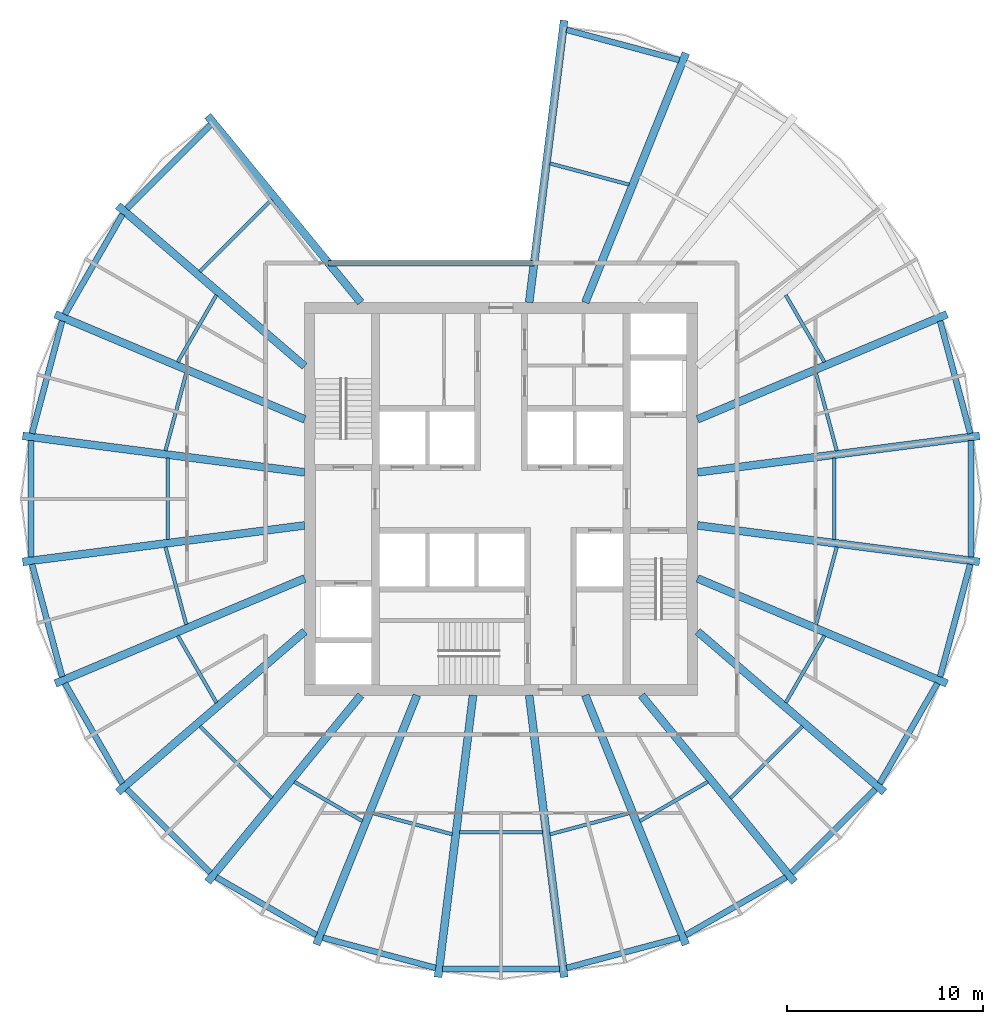
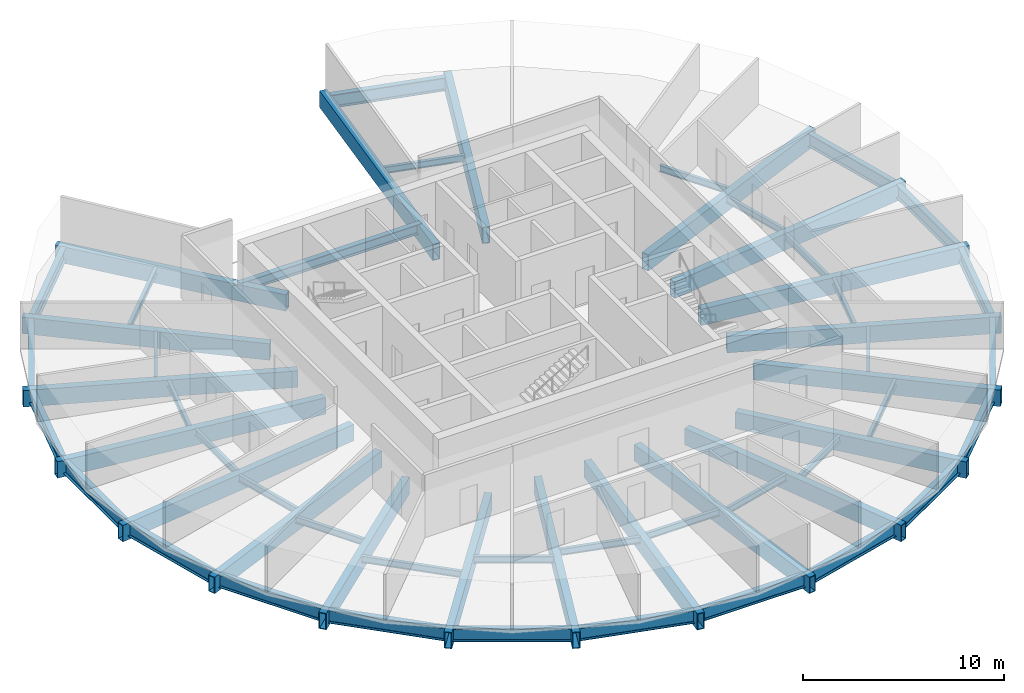
# One storey, part 1 of 6: 58 beams.
"""IFC4 building model written with IfcOpenShell, lengths in metres."""

import ifcopenshell
import ifcopenshell.guid

model = None  # the IFC model being written
_history = None  # IfcOwnerHistory: only IFC2X3 demands one
_inside = {}  # id of a spatial element -> (the spatial element, [elements in it])
_under = {}  # id of a project, library or spatial element -> (it, [spatial elements below it])
_declared = {}  # id of a project -> (the project, [libraries it declares])
_typed = {}  # id of a type object -> (the type object, [elements of that type])
_made_of = {}  # id of a material, layer set ... -> (it, [elements and type objects made of it])


def new_model(schema):
    """Start an empty IFC model of exactly this schema.

    Asked for "IFC4X3", IfcOpenShell would pick the latest addendum, in which some entities
    have other attributes; the version numbers below select the first issue.
    IFC2X3 requires an IfcOwnerHistory on every rooted entity: one is made here for all.
    """
    global model, _history
    if schema == "IFC4X3":
        model = ifcopenshell.file(schema_version=(4, 3, 0, 0))
    else:
        model = ifcopenshell.file(schema=schema)
    _inside.clear()
    _under.clear()
    _declared.clear()
    _typed.clear()
    _made_of.clear()
    _history = None
    if model.schema == "IFC2X3":
        org = make("IfcOrganization", Name="unknown")
        user = make(
            "IfcPersonAndOrganization",
            ThePerson=make("IfcPerson", FamilyName="unknown"),
            TheOrganization=org,
        )
        app = make(
            "IfcApplication",
            ApplicationDeveloper=org,
            Version="unknown",
            ApplicationFullName="unknown",
            ApplicationIdentifier="unknown",
        )
        _history = make(
            "IfcOwnerHistory",
            OwningUser=user,
            OwningApplication=app,
            ChangeAction="ADDED",
            CreationDate=0,
        )
    return model


def make(cls, **values):
    """One entity of the class cls with the attributes given. An attribute that is None is left unset."""
    return model.create_entity(
        cls, **{name: value for name, value in values.items() if value is not None}
    )


def rooted(cls, **values):
    """An entity with a GlobalId (a new one), such as an element, a storey or a relation."""
    return make(cls, GlobalId=ifcopenshell.guid.new(), OwnerHistory=_history, **values)


def si_unit(unit_type, name, prefix=None):
    """IfcSIUnit, for example si_unit("LENGTHUNIT", "METRE", prefix="MILLI")."""
    return make("IfcSIUnit", UnitType=unit_type, Prefix=prefix, Name=name)


def assignment(units):
    """IfcUnitAssignment: the units of a project."""
    return None if units is None else make("IfcUnitAssignment", Units=units)


def point(xyz):
    """IfcCartesianPoint."""
    return None if xyz is None else make("IfcCartesianPoint", Coordinates=xyz)


def direction(xyz):
    """IfcDirection."""
    return None if xyz is None else make("IfcDirection", DirectionRatios=xyz)


def frame(location, z_axis=None, x_axis=None):
    """IfcAxis2Placement3D, a coordinate frame: its origin and axes. An axis left out is left unset."""
    return make(
        "IfcAxis2Placement3D",
        Location=point(location),
        Axis=direction(z_axis),
        RefDirection=direction(x_axis),
    )


def frame_2d(location, x_axis=None):
    """IfcAxis2Placement2D, a coordinate frame in the plane: its origin and x axis."""
    return make(
        "IfcAxis2Placement2D", Location=point(location), RefDirection=direction(x_axis)
    )


def origin():
    """The frame at (0, 0, 0) with its axes left unset."""
    return frame((0.0, 0.0, 0.0))


def origin_2d():
    """The frame at (0, 0) in the plane with its x axis left unset."""
    return frame_2d((0.0, 0.0))


def place(relative_to, where):
    """IfcLocalPlacement: puts the frame where relative to a parent placement (None: the world)."""
    return make(
        "IfcLocalPlacement", PlacementRelTo=relative_to, RelativePlacement=where
    )


def context(
    kind, dimensions, precision=None, world=None, true_north=None, identifier=None
):
    """IfcGeometricRepresentationContext, for example the 3D "Model" context."""
    return make(
        "IfcGeometricRepresentationContext",
        ContextIdentifier=identifier,
        ContextType=kind,
        CoordinateSpaceDimension=dimensions,
        Precision=precision,
        WorldCoordinateSystem=world,
        TrueNorth=true_north,
    )


def subcontext(parent, identifier, kind, view, scale=None):
    """IfcGeometricRepresentationSubContext, for example "Body" below "Model"."""
    return make(
        "IfcGeometricRepresentationSubContext",
        ContextIdentifier=identifier,
        ContextType=kind,
        ParentContext=parent,
        TargetScale=scale,
        TargetView=view,
    )


def project(units=None, contexts=None):
    """IfcProject with its units and contexts."""
    return rooted(
        "IfcProject",
        Name="project",
        RepresentationContexts=contexts,
        UnitsInContext=assignment(units),
    )


def spatial(cls, under=None, at=None, **own):
    """A site, building, storey or space (cls), placed at a placement, below another one or the project."""
    s = rooted(cls, ObjectPlacement=at, **own)
    if under is not None:
        _under.setdefault(under.id(), (under, []))[1].append(s)
    return s


def profile(cls, at=None, kind="AREA", **sizes):
    """A parametric profile (cls). Its sizes go by their IFC names, for example OverallWidth=200.0."""
    return make(cls, ProfileType=kind, Position=at, **sizes)


def hollow_rectangle(**sizes):
    """IfcRectangleHollowProfileDef."""
    return profile("IfcRectangleHollowProfileDef", **sizes)


def i_section(**sizes):
    """IfcIShapeProfileDef."""
    return profile("IfcIShapeProfileDef", **sizes)


def extrude(swept, where, along, depth):
    """IfcExtrudedAreaSolid: the profile swept, set in the frame where, extruded along a direction by depth."""
    return make(
        "IfcExtrudedAreaSolid",
        SweptArea=swept,
        Position=where,
        ExtrudedDirection=direction(along),
        Depth=depth,
    )


def shape(context_of_items, identifier, shape_type, items):
    """IfcShapeRepresentation: the items that make up one representation, for example the "Body"."""
    return make(
        "IfcShapeRepresentation",
        ContextOfItems=context_of_items,
        RepresentationIdentifier=identifier,
        RepresentationType=shape_type,
        Items=items,
    )


def material(Name=None, Category=None):
    """IfcMaterial."""
    return make("IfcMaterial", Name=Name, Category=Category)


def material_profile(
    of_material, cross_section, Name=None, Category=None, Priority=None
):
    """IfcMaterialProfile: a cross section and its material."""
    return make(
        "IfcMaterialProfile",
        Name=Name,
        Material=of_material,
        Profile=cross_section,
        Priority=Priority,
        Category=Category,
    )


def profile_set(profiles, Name=None, composite=None):
    """IfcMaterialProfileSet."""
    return make(
        "IfcMaterialProfileSet",
        Name=Name,
        MaterialProfiles=profiles,
        CompositeProfile=composite,
    )


def made_of(thing, what):
    """Note that an element or type object is made of a material, layer set ...; save() writes the relation."""
    if what is not None:
        _made_of.setdefault(what.id(), (what, []))[1].append(thing)
    return thing


def type_object(cls, material=None, **own):
    """A type object (cls), such as IfcWallType, which elements share."""
    return made_of(rooted(cls, **own), material)


def element(
    cls,
    number,
    at=None,
    inside=None,
    cuts=None,
    type_object=None,
    material=None,
    context=None,
    identifier="Body",
    shape_type=None,
    held_by="IfcProductDefinitionShape",
    body=None,
    shapes=None,
    **own,
):
    """One element of the class cls, such as IfcWall. Its Tag is "e" and its number.

    at: its placement. inside: the storey or other place that contains it. cuts: it is an
    opening in that element (IfcRelVoidsElement). A single representation is given by context,
    identifier, shape_type and body (its items); several are given by shapes. held_by: the class
    of the entity that holds the representations. save() writes the other relations.
    """
    e = rooted(cls, Tag="e%d" % number, ObjectPlacement=at, **own)
    if body is not None:
        shapes = [shape(context, identifier, shape_type, body)]
    if shapes is not None:
        e.Representation = make(held_by, Representations=shapes)
    if inside is not None:
        _inside.setdefault(inside.id(), (inside, []))[1].append(e)
    if cuts is not None:
        rooted(
            "IfcRelVoidsElement", RelatingBuildingElement=cuts, RelatedOpeningElement=e
        )
    if type_object is not None:
        _typed.setdefault(type_object.id(), (type_object, []))[1].append(e)
    return made_of(e, material)


def aggregate(whole, parts):
    """IfcRelAggregates: a whole, such as a stair, and the parts it consists of."""
    return rooted("IfcRelAggregates", RelatingObject=whole, RelatedObjects=parts)


def save(model, path):
    """Write the relations noted so far, then the file.

    IfcRelAggregates (storeys below a building ...), IfcRelContainedInSpatialStructure (elements
    in a storey), IfcRelDefinesByType, IfcRelAssociatesMaterial and IfcRelDeclares: one each for
    every whole, place, type object, material and project.
    """
    for whole, parts in _under.values():
        aggregate(whole, parts)
    for where, things in _inside.values():
        rooted(
            "IfcRelContainedInSpatialStructure",
            RelatedElements=things,
            RelatingStructure=where,
        )
    for kind, things in _typed.values():
        rooted("IfcRelDefinesByType", RelatedObjects=things, RelatingType=kind)
    for what, things in _made_of.values():
        rooted("IfcRelAssociatesMaterial", RelatedObjects=things, RelatingMaterial=what)
    for by, libraries in _declared.values():
        rooted("IfcRelDeclares", RelatingContext=by, RelatedDefinitions=libraries)
    model.write(path)


model = new_model("IFC4")

# Units and contexts
model_context = context("Model", 3, precision=1e-05, world=origin(), true_north=direction((0.0, 1.0)))
body_context = subcontext(model_context, "Body", "Model", "MODEL_VIEW")
ifc_project = project(units=[si_unit("LENGTHUNIT", "METRE"), si_unit("AREAUNIT", "SQUARE_METRE"), si_unit("VOLUMEUNIT", "CUBIC_METRE"), si_unit("PLANEANGLEUNIT", "RADIAN"), si_unit("MASSUNIT", "GRAM", prefix="KILO")], contexts=[model_context])

# Site, building, storey
site_placement = place(None, origin())
site = spatial("IfcSite", under=ifc_project, at=site_placement, CompositionType="ELEMENT")
building_placement = place(site_placement, origin())
building = spatial("IfcBuilding", under=site, at=building_placement, Name="Golbaran Civic Tower", CompositionType="ELEMENT")
storey_placement = place(building_placement, frame((0.0, 0.0, 110.0)))
storey = spatial("IfcBuildingStorey", under=building, at=storey_placement, Name="L26", CompositionType="ELEMENT", Elevation=110.0)

# Beams
ifc_material = material(Name="Steel S355", Category="steel")
ifc_material_profile_1 = material_profile(ifc_material, i_section(OverallWidth=0.300048828125, OverallDepth=0.800048828125, WebThickness=0.017578125, FlangeThickness=0.032958984375, FilletRadius=0.030029296875, at=origin_2d()), Name="HEB 800")
ifc_profile_set_1 = profile_set([ifc_material_profile_1], Name="Steel S355")
beam_type_1 = type_object("IfcBeamType", Name="EDGE BEAM HEB 800", PredefinedType="BEAM", material=ifc_profile_set_1)
beam_1_placement = place(storey_placement, frame((23.884033203125, 3.32763671875, -0.60009765625), z_axis=(-0.2587539174, 0.965943274851, 0.0), x_axis=(-0.965943274851, -0.2587539174, 0.0)))
element("IfcBeam", 1, at=beam_1_placement, inside=storey, type_object=beam_type_1, Name="Edge beam 7.50 L26", PredefinedType="BEAM", context=body_context, shape_type="SweptSolid", body=[
    extrude(i_section(OverallWidth=0.300048828125, OverallDepth=0.800048828125, WebThickness=0.017578125, FlangeThickness=0.032958984375, FilletRadius=0.030029296875, at=origin_2d()), origin(), (0.0, 0.0, 1.0), 5.930908203125),
])
beam_2_placement = place(storey_placement, frame((9.071533203125, 22.343505859375, -0.60009765625), z_axis=(-0.965834810192, 0.259158483211, 0.0), x_axis=(-0.259158483211, -0.965834810192, 0.0)))
element("IfcBeam", 2, at=beam_2_placement, inside=storey, type_object=beam_type_1, Name="Edge beam 67.50 L26", PredefinedType="BEAM", context=body_context, shape_type="SweptSolid", body=[
    extrude(i_section(OverallWidth=0.300048828125, OverallDepth=0.800048828125, WebThickness=0.017578125, FlangeThickness=0.032958984375, FilletRadius=0.030029296875, at=origin_2d()), origin(), (0.0, 0.0, 1.0), 5.94140625),
])
beam_3_placement = place(storey_placement, frame((-14.794677734375, 19.042724609375, -0.60009765625), z_axis=(-0.706742408007, -0.707470966701, 0.0), x_axis=(0.707470966701, -0.706742408007, 0.0)))
element("IfcBeam", 3, at=beam_3_placement, inside=storey, type_object=beam_type_1, Name="Edge beam 127.50 L26", PredefinedType="BEAM", context=body_context, shape_type="SweptSolid", body=[
    extrude(i_section(OverallWidth=0.300048828125, OverallDepth=0.800048828125, WebThickness=0.017578125, FlangeThickness=0.032958984375, FilletRadius=0.030029296875, at=origin_2d()), origin(), (0.0, 0.0, 1.0), 6.03173828125),
])
beam_4_placement = place(storey_placement, frame((-19.276611328125, 14.489013671875, -0.60009765625), z_axis=(-0.498857735231, -0.866683887009, 0.0), x_axis=(0.866683887009, -0.498857735231, 0.0)))
element("IfcBeam", 4, at=beam_4_placement, inside=storey, type_object=beam_type_1, Name="Edge beam 142.50 L26", PredefinedType="BEAM", context=body_context, shape_type="SweptSolid", body=[
    extrude(i_section(OverallWidth=0.300048828125, OverallDepth=0.800048828125, WebThickness=0.017578125, FlangeThickness=0.032958984375, FilletRadius=0.030029296875, at=origin_2d()), origin(), (0.0, 0.0, 1.0), 5.884033203125),
])
beam_5_placement = place(storey_placement, frame((-22.349365234375, 9.056640625, -0.60009765625), z_axis=(-0.2587539174, -0.965943274851, 0.0), x_axis=(0.965943274851, -0.2587539174, 0.0)))
element("IfcBeam", 5, at=beam_5_placement, inside=storey, type_object=beam_type_1, Name="Edge beam 157.50 L26", PredefinedType="BEAM", context=body_context, shape_type="SweptSolid", body=[
    extrude(i_section(OverallWidth=0.300048828125, OverallDepth=0.800048828125, WebThickness=0.017578125, FlangeThickness=0.032958984375, FilletRadius=0.030029296875, at=origin_2d()), origin(), (0.0, 0.0, 1.0), 5.930908203125),
])
beam_6_placement = place(storey_placement, frame((-23.930908203125, 2.970703125, -0.60009765625), z_axis=(0.0, -1.0, 0.0), x_axis=(1.0, 0.0, 0.0)))
element("IfcBeam", 6, at=beam_6_placement, inside=storey, type_object=beam_type_1, Name="Edge beam 172.50 L26", PredefinedType="BEAM", context=body_context, shape_type="SweptSolid", body=[
    extrude(i_section(OverallWidth=0.300048828125, OverallDepth=0.800048828125, WebThickness=0.017578125, FlangeThickness=0.032958984375, FilletRadius=0.030029296875, at=origin_2d()), origin(), (0.0, 0.0, 1.0), 5.94140625),
])
beam_7_placement = place(storey_placement, frame((-23.884033203125, -3.32763671875, -0.60009765625), z_axis=(0.2587539174, -0.965943274851, 0.0), x_axis=(0.965943274851, 0.2587539174, 0.0)))
element("IfcBeam", 7, at=beam_7_placement, inside=storey, type_object=beam_type_1, Name="Edge beam 187.50 L26", PredefinedType="BEAM", context=body_context, shape_type="SweptSolid", body=[
    extrude(i_section(OverallWidth=0.300048828125, OverallDepth=0.800048828125, WebThickness=0.017578125, FlangeThickness=0.032958984375, FilletRadius=0.030029296875, at=origin_2d()), origin(), (0.0, 0.0, 1.0), 5.930908203125),
])
beam_8_placement = place(storey_placement, frame((-22.2119140625, -9.389404296875, -0.60009765625), z_axis=(0.498857735231, -0.866683887009, 0.0), x_axis=(0.866683887009, 0.498857735231, 0.0)))
element("IfcBeam", 8, at=beam_8_placement, inside=storey, type_object=beam_type_1, Name="Edge beam 202.50 L26", PredefinedType="BEAM", context=body_context, shape_type="SweptSolid", body=[
    extrude(i_section(OverallWidth=0.300048828125, OverallDepth=0.800048828125, WebThickness=0.017578125, FlangeThickness=0.032958984375, FilletRadius=0.030029296875, at=origin_2d()), origin(), (0.0, 0.0, 1.0), 5.884033203125),
])
beam_9_placement = place(storey_placement, frame((-19.0576171875, -14.775390625, -0.60009765625), z_axis=(0.706742408007, -0.707470966701, 0.0), x_axis=(0.707470966701, 0.706742408007, 0.0)))
element("IfcBeam", 9, at=beam_9_placement, inside=storey, type_object=beam_type_1, Name="Edge beam 217.50 L26", PredefinedType="BEAM", context=body_context, shape_type="SweptSolid", body=[
    extrude(i_section(OverallWidth=0.300048828125, OverallDepth=0.800048828125, WebThickness=0.017578125, FlangeThickness=0.032958984375, FilletRadius=0.030029296875, at=origin_2d()), origin(), (0.0, 0.0, 1.0), 6.03173828125),
])
beam_10_placement = place(storey_placement, frame((-14.5087890625, -19.26171875, -0.60009765625), z_axis=(0.866273170257, -0.499570610118, 0.0), x_axis=(0.499570610118, 0.866273170257, 0.0)))
element("IfcBeam", 10, at=beam_10_placement, inside=storey, type_object=beam_type_1, Name="Edge beam 232.50 L26", PredefinedType="BEAM", context=body_context, shape_type="SweptSolid", body=[
    extrude(i_section(OverallWidth=0.300048828125, OverallDepth=0.800048828125, WebThickness=0.017578125, FlangeThickness=0.032958984375, FilletRadius=0.030029296875, at=origin_2d()), origin(), (0.0, 0.0, 1.0), 5.892822265625),
])
beam_11_placement = place(storey_placement, frame((-9.071533203125, -22.343505859375, -0.60009765625), z_axis=(0.965834810192, -0.259158483211, 0.0), x_axis=(0.259158483211, 0.965834810192, 0.0)))
element("IfcBeam", 11, at=beam_11_placement, inside=storey, type_object=beam_type_1, Name="Edge beam 247.50 L26", PredefinedType="BEAM", context=body_context, shape_type="SweptSolid", body=[
    extrude(i_section(OverallWidth=0.300048828125, OverallDepth=0.800048828125, WebThickness=0.017578125, FlangeThickness=0.032958984375, FilletRadius=0.030029296875, at=origin_2d()), origin(), (0.0, 0.0, 1.0), 5.94140625),
])
beam_12_placement = place(storey_placement, frame((-2.97607421875, -23.930419921875, -0.60009765625), z_axis=(1.0, 0.0, 0.0), x_axis=(0.0, 1.0, 0.0)))
element("IfcBeam", 12, at=beam_12_placement, inside=storey, type_object=beam_type_1, Name="Edge beam 262.50 L26", PredefinedType="BEAM", context=body_context, shape_type="SweptSolid", body=[
    extrude(i_section(OverallWidth=0.300048828125, OverallDepth=0.800048828125, WebThickness=0.017578125, FlangeThickness=0.032958984375, FilletRadius=0.030029296875, at=origin_2d()), origin(), (0.0, 0.0, 1.0), 5.9521484375),
])
beam_13_placement = place(storey_placement, frame((3.3330078125, -23.88330078125, -0.60009765625), z_axis=(0.965834810192, 0.259158483211, 0.0), x_axis=(-0.259158483211, 0.965834810192, 0.0)))
element("IfcBeam", 13, at=beam_13_placement, inside=storey, type_object=beam_type_1, Name="Edge beam 277.50 L26", PredefinedType="BEAM", context=body_context, shape_type="SweptSolid", body=[
    extrude(i_section(OverallWidth=0.300048828125, OverallDepth=0.800048828125, WebThickness=0.017578125, FlangeThickness=0.032958984375, FilletRadius=0.030029296875, at=origin_2d()), origin(), (0.0, 0.0, 1.0), 5.94140625),
])
beam_14_placement = place(storey_placement, frame((9.404052734375, -22.20556640625, -0.60009765625), z_axis=(0.866273170257, 0.499570610118, 0.0), x_axis=(-0.499570610118, 0.866273170257, 0.0)))
element("IfcBeam", 14, at=beam_14_placement, inside=storey, type_object=beam_type_1, Name="Edge beam 292.50 L26", PredefinedType="BEAM", context=body_context, shape_type="SweptSolid", body=[
    extrude(i_section(OverallWidth=0.300048828125, OverallDepth=0.800048828125, WebThickness=0.017578125, FlangeThickness=0.032958984375, FilletRadius=0.030029296875, at=origin_2d()), origin(), (0.0, 0.0, 1.0), 5.892822265625),
])
beam_15_placement = place(storey_placement, frame((14.794677734375, -19.042724609375, -0.60009765625), z_axis=(0.706742408007, 0.707470966701, 0.0), x_axis=(-0.707470966701, 0.706742408007, 0.0)))
element("IfcBeam", 15, at=beam_15_placement, inside=storey, type_object=beam_type_1, Name="Edge beam 307.50 L26", PredefinedType="BEAM", context=body_context, shape_type="SweptSolid", body=[
    extrude(i_section(OverallWidth=0.300048828125, OverallDepth=0.800048828125, WebThickness=0.017578125, FlangeThickness=0.032958984375, FilletRadius=0.030029296875, at=origin_2d()), origin(), (0.0, 0.0, 1.0), 6.03173828125),
])
beam_16_placement = place(storey_placement, frame((19.276611328125, -14.489013671875, -0.60009765625), z_axis=(0.498857735231, 0.866683887009, 0.0), x_axis=(-0.866683887009, 0.498857735231, 0.0)))
element("IfcBeam", 16, at=beam_16_placement, inside=storey, type_object=beam_type_1, Name="Edge beam 322.50 L26", PredefinedType="BEAM", context=body_context, shape_type="SweptSolid", body=[
    extrude(i_section(OverallWidth=0.300048828125, OverallDepth=0.800048828125, WebThickness=0.017578125, FlangeThickness=0.032958984375, FilletRadius=0.030029296875, at=origin_2d()), origin(), (0.0, 0.0, 1.0), 5.884033203125),
])
beam_17_placement = place(storey_placement, frame((22.349365234375, -9.056640625, -0.60009765625), z_axis=(0.2587539174, 0.965943274851, 0.0), x_axis=(-0.965943274851, 0.2587539174, 0.0)))
element("IfcBeam", 17, at=beam_17_placement, inside=storey, type_object=beam_type_1, Name="Edge beam 337.50 L26", PredefinedType="BEAM", context=body_context, shape_type="SweptSolid", body=[
    extrude(i_section(OverallWidth=0.300048828125, OverallDepth=0.800048828125, WebThickness=0.017578125, FlangeThickness=0.032958984375, FilletRadius=0.030029296875, at=origin_2d()), origin(), (0.0, 0.0, 1.0), 5.930908203125),
])
beam_18_placement = place(storey_placement, frame((23.930908203125, -2.970703125, -0.60009765625), z_axis=(0.0, 1.0, 0.0), x_axis=(-1.0, 0.0, 0.0)))
element("IfcBeam", 18, at=beam_18_placement, inside=storey, type_object=beam_type_1, Name="Edge beam 352.50 L26", PredefinedType="BEAM", context=body_context, shape_type="SweptSolid", body=[
    extrude(i_section(OverallWidth=0.300048828125, OverallDepth=0.800048828125, WebThickness=0.017578125, FlangeThickness=0.032958984375, FilletRadius=0.030029296875, at=origin_2d()), origin(), (0.0, 0.0, 1.0), 5.94140625),
])
ifc_material_profile_2 = material_profile(ifc_material, i_section(OverallWidth=0.179931640625, OverallDepth=0.39990234375, WebThickness=0.008544921875, FlangeThickness=0.013427734375, FilletRadius=0.02099609375, at=origin_2d()), Name="IPE 400")
ifc_profile_set_2 = profile_set([ifc_material_profile_2], Name="Steel S355")
beam_type_2 = type_object("IfcBeamType", Name="FLOOR INFILL BEAM IPE 400", PredefinedType="BEAM", material=ifc_profile_set_2)
beam_19_placement = place(storey_placement, frame((17.0908203125, 2.44873046875, -0.39990234375), z_axis=(-0.25880775508, 0.965928851371, 0.0), x_axis=(-0.965928851371, -0.25880775508, 0.0)))
element("IfcBeam", 19, at=beam_19_placement, inside=storey, type_object=beam_type_2, Name="Infill beam 15.00 L26", PredefinedType="BEAM", context=body_context, shape_type="SweptSolid", body=[
    extrude(i_section(OverallWidth=0.179931640625, OverallDepth=0.39990234375, WebThickness=0.008544921875, FlangeThickness=0.013427734375, FilletRadius=0.02099609375, at=origin_2d()), origin(), (0.0, 0.0, 1.0), 4.08642578125),
])
beam_20_placement = place(storey_placement, frame((16.462646484375, 6.967529296875, -0.39990234375), z_axis=(-0.500014115306, 0.866017254155, 0.0), x_axis=(-0.866017254155, -0.500014115306, 0.0)))
element("IfcBeam", 20, at=beam_20_placement, inside=storey, type_object=beam_type_2, Name="Infill beam 30.00 L26", PredefinedType="BEAM", context=body_context, shape_type="SweptSolid", body=[
    extrude(i_section(OverallWidth=0.179931640625, OverallDepth=0.39990234375, WebThickness=0.008544921875, FlangeThickness=0.013427734375, FilletRadius=0.02099609375, at=origin_2d()), origin(), (0.0, 0.0, 1.0), 3.93701171875),
])
beam_21_placement = place(storey_placement, frame((6.512939453125, 16.00146484375, -0.39990234375), z_axis=(-0.965923987588, 0.258825907133, 0.0), x_axis=(-0.258825907133, -0.965923987588, 0.0)))
element("IfcBeam", 21, at=beam_21_placement, inside=storey, type_object=beam_type_2, Name="Infill beam 75.00 L26", PredefinedType="BEAM", context=body_context, shape_type="SweptSolid", body=[
    extrude(i_section(OverallWidth=0.179931640625, OverallDepth=0.39990234375, WebThickness=0.008544921875, FlangeThickness=0.013427734375, FilletRadius=0.02099609375, at=origin_2d()), origin(), (0.0, 0.0, 1.0), 4.16650390625),
])
beam_22_placement = place(storey_placement, frame((-11.676025390625, 15.241455078125, -0.39990234375), z_axis=(-0.707130343951, -0.707083217637, 0.0), x_axis=(0.707083217637, -0.707130343951, 0.0)))
element("IfcBeam", 22, at=beam_22_placement, inside=storey, type_object=beam_type_2, Name="Infill beam 135.00 L26", PredefinedType="BEAM", context=body_context, shape_type="SweptSolid", body=[
    extrude(i_section(OverallWidth=0.179931640625, OverallDepth=0.39990234375, WebThickness=0.008544921875, FlangeThickness=0.013427734375, FilletRadius=0.02099609375, at=origin_2d()), origin(), (0.0, 0.0, 1.0), 5.1806640625),
])
beam_23_placement = place(storey_placement, frame((-14.494140625, 10.376953125, -0.39990234375), z_axis=(-0.500014115306, -0.866017254155, 0.0), x_axis=(0.866017254155, -0.500014115306, 0.0)))
element("IfcBeam", 23, at=beam_23_placement, inside=storey, type_object=beam_type_2, Name="Infill beam 150.00 L26", PredefinedType="BEAM", context=body_context, shape_type="SweptSolid", body=[
    extrude(i_section(OverallWidth=0.179931640625, OverallDepth=0.39990234375, WebThickness=0.008544921875, FlangeThickness=0.013427734375, FilletRadius=0.02099609375, at=origin_2d()), origin(), (0.0, 0.0, 1.0), 3.93701171875),
])
beam_24_placement = place(storey_placement, frame((-16.033203125, 6.39599609375, -0.39990234375), z_axis=(-0.25880775508, -0.965928851371, 0.0), x_axis=(0.965928851371, -0.25880775508, 0.0)))
element("IfcBeam", 24, at=beam_24_placement, inside=storey, type_object=beam_type_2, Name="Infill beam 165.00 L26", PredefinedType="BEAM", context=body_context, shape_type="SweptSolid", body=[
    extrude(i_section(OverallWidth=0.179931640625, OverallDepth=0.39990234375, WebThickness=0.008544921875, FlangeThickness=0.013427734375, FilletRadius=0.02099609375, at=origin_2d()), origin(), (0.0, 0.0, 1.0), 4.08642578125),
])
beam_25_placement = place(storey_placement, frame((-16.965576171875, 2.069580078125, -0.39990234375), z_axis=(0.0, -1.0, 0.0), x_axis=(1.0, 0.0, 0.0)))
element("IfcBeam", 25, at=beam_25_placement, inside=storey, type_object=beam_type_2, Name="Infill beam 180.00 L26", PredefinedType="BEAM", context=body_context, shape_type="SweptSolid", body=[
    extrude(i_section(OverallWidth=0.179931640625, OverallDepth=0.39990234375, WebThickness=0.008544921875, FlangeThickness=0.013427734375, FilletRadius=0.02099609375, at=origin_2d()), origin(), (0.0, 0.0, 1.0), 4.13916015625),
])
beam_26_placement = place(storey_placement, frame((-17.0908203125, -2.44873046875, -0.39990234375), z_axis=(0.25880775508, -0.965928851371, 0.0), x_axis=(0.965928851371, 0.25880775508, 0.0)))
element("IfcBeam", 26, at=beam_26_placement, inside=storey, type_object=beam_type_2, Name="Infill beam 195.00 L26", PredefinedType="BEAM", context=body_context, shape_type="SweptSolid", body=[
    extrude(i_section(OverallWidth=0.179931640625, OverallDepth=0.39990234375, WebThickness=0.008544921875, FlangeThickness=0.013427734375, FilletRadius=0.02099609375, at=origin_2d()), origin(), (0.0, 0.0, 1.0), 4.08642578125),
])
beam_27_placement = place(storey_placement, frame((-16.462646484375, -6.967529296875, -0.39990234375), z_axis=(0.500014115306, -0.866017254155, 0.0), x_axis=(0.866017254155, 0.500014115306, 0.0)))
element("IfcBeam", 27, at=beam_27_placement, inside=storey, type_object=beam_type_2, Name="Infill beam 210.00 L26", PredefinedType="BEAM", context=body_context, shape_type="SweptSolid", body=[
    extrude(i_section(OverallWidth=0.179931640625, OverallDepth=0.39990234375, WebThickness=0.008544921875, FlangeThickness=0.013427734375, FilletRadius=0.02099609375, at=origin_2d()), origin(), (0.0, 0.0, 1.0), 3.93701171875),
])
beam_28_placement = place(storey_placement, frame((-15.33935546875, -11.578369140625, -0.39990234375), z_axis=(0.707130343951, -0.707083217637, 0.0), x_axis=(0.707083217637, 0.707130343951, 0.0)))
element("IfcBeam", 28, at=beam_28_placement, inside=storey, type_object=beam_type_2, Name="Infill beam 225.00 L26", PredefinedType="BEAM", context=body_context, shape_type="SweptSolid", body=[
    extrude(i_section(OverallWidth=0.179931640625, OverallDepth=0.39990234375, WebThickness=0.008544921875, FlangeThickness=0.013427734375, FilletRadius=0.02099609375, at=origin_2d()), origin(), (0.0, 0.0, 1.0), 5.1806640625),
])
beam_29_placement = place(storey_placement, frame((-10.5263671875, -14.40771484375, -0.39990234375), z_axis=(0.86602082383, -0.50000793263, 0.0), x_axis=(0.50000793263, 0.86602082383, 0.0)))
element("IfcBeam", 29, at=beam_29_placement, inside=storey, type_object=beam_type_2, Name="Infill beam 240.00 L26", PredefinedType="BEAM", context=body_context, shape_type="SweptSolid", body=[
    extrude(i_section(OverallWidth=0.179931640625, OverallDepth=0.39990234375, WebThickness=0.008544921875, FlangeThickness=0.013427734375, FilletRadius=0.02099609375, at=origin_2d()), origin(), (0.0, 0.0, 1.0), 3.99755859375),
])
beam_30_placement = place(storey_placement, frame((-6.512939453125, -16.00146484375, -0.39990234375), z_axis=(0.965923987588, -0.258825907133, 0.0), x_axis=(0.258825907133, 0.965923987588, 0.0)))
element("IfcBeam", 30, at=beam_30_placement, inside=storey, type_object=beam_type_2, Name="Infill beam 255.00 L26", PredefinedType="BEAM", context=body_context, shape_type="SweptSolid", body=[
    extrude(i_section(OverallWidth=0.179931640625, OverallDepth=0.39990234375, WebThickness=0.008544921875, FlangeThickness=0.013427734375, FilletRadius=0.02099609375, at=origin_2d()), origin(), (0.0, 0.0, 1.0), 4.16650390625),
])
beam_31_placement = place(storey_placement, frame((-2.111572265625, -16.965087890625, -0.39990234375), z_axis=(1.0, 0.0, 0.0), x_axis=(0.0, 1.0, 0.0)))
element("IfcBeam", 31, at=beam_31_placement, inside=storey, type_object=beam_type_2, Name="Infill beam 270.00 L26", PredefinedType="BEAM", context=body_context, shape_type="SweptSolid", body=[
    extrude(i_section(OverallWidth=0.179931640625, OverallDepth=0.39990234375, WebThickness=0.008544921875, FlangeThickness=0.013427734375, FilletRadius=0.02099609375, at=origin_2d()), origin(), (0.0, 0.0, 1.0), 4.22314453125),
])
beam_32_placement = place(storey_placement, frame((2.488525390625, -17.079833984375, -0.39990234375), z_axis=(0.965923987588, 0.258825907133, 0.0), x_axis=(-0.258825907133, 0.965923987588, 0.0)))
element("IfcBeam", 32, at=beam_32_placement, inside=storey, type_object=beam_type_2, Name="Infill beam 285.00 L26", PredefinedType="BEAM", context=body_context, shape_type="SweptSolid", body=[
    extrude(i_section(OverallWidth=0.179931640625, OverallDepth=0.39990234375, WebThickness=0.008544921875, FlangeThickness=0.013427734375, FilletRadius=0.02099609375, at=origin_2d()), origin(), (0.0, 0.0, 1.0), 4.16650390625),
])
beam_33_placement = place(storey_placement, frame((7.064453125, -16.406494140625, -0.39990234375), z_axis=(0.86602082383, 0.50000793263, 0.0), x_axis=(-0.50000793263, 0.86602082383, 0.0)))
element("IfcBeam", 33, at=beam_33_placement, inside=storey, type_object=beam_type_2, Name="Infill beam 300.00 L26", PredefinedType="BEAM", context=body_context, shape_type="SweptSolid", body=[
    extrude(i_section(OverallWidth=0.179931640625, OverallDepth=0.39990234375, WebThickness=0.008544921875, FlangeThickness=0.013427734375, FilletRadius=0.02099609375, at=origin_2d()), origin(), (0.0, 0.0, 1.0), 3.99755859375),
])
beam_34_placement = place(storey_placement, frame((11.676025390625, -15.241455078125, -0.39990234375), z_axis=(0.707130343951, 0.707083217637, 0.0), x_axis=(-0.707083217637, 0.707130343951, 0.0)))
element("IfcBeam", 34, at=beam_34_placement, inside=storey, type_object=beam_type_2, Name="Infill beam 315.00 L26", PredefinedType="BEAM", context=body_context, shape_type="SweptSolid", body=[
    extrude(i_section(OverallWidth=0.179931640625, OverallDepth=0.39990234375, WebThickness=0.008544921875, FlangeThickness=0.013427734375, FilletRadius=0.02099609375, at=origin_2d()), origin(), (0.0, 0.0, 1.0), 5.1806640625),
])
beam_35_placement = place(storey_placement, frame((14.494140625, -10.376953125, -0.39990234375), z_axis=(0.500014115306, 0.866017254155, 0.0), x_axis=(-0.866017254155, 0.500014115306, 0.0)))
element("IfcBeam", 35, at=beam_35_placement, inside=storey, type_object=beam_type_2, Name="Infill beam 330.00 L26", PredefinedType="BEAM", context=body_context, shape_type="SweptSolid", body=[
    extrude(i_section(OverallWidth=0.179931640625, OverallDepth=0.39990234375, WebThickness=0.008544921875, FlangeThickness=0.013427734375, FilletRadius=0.02099609375, at=origin_2d()), origin(), (0.0, 0.0, 1.0), 3.93701171875),
])
beam_36_placement = place(storey_placement, frame((16.033203125, -6.39599609375, -0.39990234375), z_axis=(0.25880775508, 0.965928851371, 0.0), x_axis=(-0.965928851371, 0.25880775508, 0.0)))
element("IfcBeam", 36, at=beam_36_placement, inside=storey, type_object=beam_type_2, Name="Infill beam 345.00 L26", PredefinedType="BEAM", context=body_context, shape_type="SweptSolid", body=[
    extrude(i_section(OverallWidth=0.179931640625, OverallDepth=0.39990234375, WebThickness=0.008544921875, FlangeThickness=0.013427734375, FilletRadius=0.02099609375, at=origin_2d()), origin(), (0.0, 0.0, 1.0), 4.08642578125),
])
beam_37_placement = place(storey_placement, frame((16.965576171875, -2.069580078125, -0.39990234375), z_axis=(0.0, 1.0, 0.0), x_axis=(-1.0, 0.0, 0.0)))
element("IfcBeam", 37, at=beam_37_placement, inside=storey, type_object=beam_type_2, Name="Infill beam 0.00 L26", PredefinedType="BEAM", context=body_context, shape_type="SweptSolid", body=[
    extrude(i_section(OverallWidth=0.179931640625, OverallDepth=0.39990234375, WebThickness=0.008544921875, FlangeThickness=0.013427734375, FilletRadius=0.02099609375, at=origin_2d()), origin(), (0.0, 0.0, 1.0), 4.13916015625),
])
ifc_material_profile_3 = material_profile(ifc_material, i_section(OverallWidth=0.300048828125, OverallDepth=0.60009765625, WebThickness=0.015380859375, FlangeThickness=0.030029296875, FilletRadius=0.027099609375, at=origin_2d()), Name="HEB 600")
ifc_profile_set_3 = profile_set([ifc_material_profile_3], Name="Steel S355")
beam_type_3 = type_object("IfcBeamType", Name="GARDEN CHORD TRIMMER HEB 600", PredefinedType="BEAM", material=ifc_profile_set_3)
beam_38_placement = place(storey_placement, frame((1.6767578125, 12.0, -0.5), z_axis=(-1.0, 0.0, 0.0), x_axis=(0.0, -1.0, 0.0)))
element("IfcBeam", 38, at=beam_38_placement, inside=storey, type_object=beam_type_3, Name="Garden void trimmer L26", PredefinedType="BEAM", context=body_context, shape_type="SweptSolid", body=[
    extrude(i_section(OverallWidth=0.300048828125, OverallDepth=0.60009765625, WebThickness=0.015380859375, FlangeThickness=0.030029296875, FilletRadius=0.027099609375, at=origin_2d()), origin(), (0.0, 0.0, 1.0), 10.46044921875),
])
ifc_material_profile_4 = material_profile(ifc_material, hollow_rectangle(XDim=0.39990234375, YDim=1.0, WallThickness=0.0400390625, at=origin_2d()), Name="BOX 1000x400x40")
ifc_profile_set_4 = profile_set([ifc_material_profile_4], Name="Steel S355")
beam_type_4 = type_object("IfcBeamType", Name="RADIAL FLOOR BEAM BOX 1000x400x40", PredefinedType="BEAM", material=ifc_profile_set_4)
beam_39_placement = place(storey_placement, frame((10.0, 1.35009765625, -0.7099609375), z_axis=(0.991737778704, 0.128281636608, 0.0), x_axis=(-0.128281636608, 0.991737778704, 0.0)))
element("IfcBeam", 39, at=beam_39_placement, inside=storey, type_object=beam_type_4, Name="Radial beam 7.50 L26", PredefinedType="BEAM", context=body_context, shape_type="SweptSolid", body=[
    extrude(hollow_rectangle(XDim=0.39990234375, YDim=1.0, WallThickness=0.0400390625, at=origin_2d()), origin(), (0.0, 0.0, 1.0), 14.479248046875),
])
beam_40_placement = place(storey_placement, frame((10.0, 4.050048828125, -0.7099609375), z_axis=(0.921578343196, 0.388192423099, 0.0), x_axis=(-0.388192423099, 0.921578343196, 0.0)))
element("IfcBeam", 40, at=beam_40_placement, inside=storey, type_object=beam_type_4, Name="Radial beam 22.50 L26", PredefinedType="BEAM", context=body_context, shape_type="SweptSolid", body=[
    extrude(hollow_rectangle(XDim=0.39990234375, YDim=1.0, WallThickness=0.0400390625, at=origin_2d()), origin(), (0.0, 0.0, 1.0), 13.781494140625),
])
beam_41_placement = place(storey_placement, frame((4.28564453125, 10.0, -0.7099609375), z_axis=(0.374143724594, 0.92737073134, 0.0), x_axis=(-0.92737073134, 0.374143724594, 0.0)))
element("IfcBeam", 41, at=beam_41_placement, inside=storey, type_object=beam_type_4, Name="Radial beam 67.50 L26", PredefinedType="BEAM", context=body_context, shape_type="SweptSolid", body=[
    extrude(hollow_rectangle(XDim=0.39990234375, YDim=1.0, WallThickness=0.0400390625, at=origin_2d()), origin(), (0.0, 0.0, 1.0), 13.69140625),
])
beam_42_placement = place(storey_placement, frame((1.428466796875, 10.0, -0.7099609375), z_axis=(0.123172867114, 0.992385230043, 0.0), x_axis=(-0.992385230043, 0.123172867114, 0.0)))
element("IfcBeam", 42, at=beam_42_placement, inside=storey, type_object=beam_type_4, Name="Radial beam 82.50 L26", PredefinedType="BEAM", context=body_context, shape_type="SweptSolid", body=[
    extrude(hollow_rectangle(XDim=0.39990234375, YDim=1.0, WallThickness=0.0400390625, at=origin_2d()), origin(), (0.0, 0.0, 1.0), 14.46923828125),
])
beam_43_placement = place(storey_placement, frame((-7.142822265625, 10.0, -0.7099609375), z_axis=(-0.634290441459, 0.773094842742, 0.0), x_axis=(-0.773094842742, -0.634290441459, 0.0)))
element("IfcBeam", 43, at=beam_43_placement, inside=storey, type_object=beam_type_4, Name="Radial beam 127.50 L26", PredefinedType="BEAM", context=body_context, shape_type="SweptSolid", body=[
    extrude(hollow_rectangle(XDim=0.39990234375, YDim=1.0, WallThickness=0.0400390625, at=origin_2d()), origin(), (0.0, 0.0, 1.0), 12.294677734375),
])
beam_44_placement = place(storey_placement, frame((-10.0, 6.75, -0.7099609375), z_axis=(-0.758248875451, 0.651965216003, 0.0), x_axis=(-0.651965216003, -0.758248875451, 0.0)))
element("IfcBeam", 44, at=beam_44_placement, inside=storey, type_object=beam_type_4, Name="Radial beam 142.50 L26", PredefinedType="BEAM", context=body_context, shape_type="SweptSolid", body=[
    extrude(hollow_rectangle(XDim=0.39990234375, YDim=1.0, WallThickness=0.0400390625, at=origin_2d()), origin(), (0.0, 0.0, 1.0), 12.546630859375),
])
beam_45_placement = place(storey_placement, frame((-10.0, 4.050048828125, -0.7099609375), z_axis=(-0.921578343196, 0.388192423099, 0.0), x_axis=(-0.388192423099, -0.921578343196, 0.0)))
element("IfcBeam", 45, at=beam_45_placement, inside=storey, type_object=beam_type_4, Name="Radial beam 157.50 L26", PredefinedType="BEAM", context=body_context, shape_type="SweptSolid", body=[
    extrude(hollow_rectangle(XDim=0.39990234375, YDim=1.0, WallThickness=0.0400390625, at=origin_2d()), origin(), (0.0, 0.0, 1.0), 13.781494140625),
])
for number, where, z_axis, x_axis, name in (
    (46, (-10.0, 1.35009765625, -0.7099609375), (-0.991737778704, 0.128281636608, 0.0), (-0.128281636608, -0.991737778704, 0.0), "Radial beam 172.50 L26"),
    (47, (-10.0, -1.35009765625, -0.7099609375), (-0.991737778704, -0.128281636608, 0.0), (0.128281636608, -0.991737778704, 0.0), "Radial beam 187.50 L26"),
):
    element("IfcBeam", number, at=place(storey_placement, frame(where, z_axis=z_axis, x_axis=x_axis)), inside=storey, type_object=beam_type_4, Name=name, PredefinedType="BEAM", context=body_context, shape_type="SweptSolid", body=[
        extrude(hollow_rectangle(XDim=0.39990234375, YDim=1.0, WallThickness=0.0400390625, at=origin_2d()), origin(), (0.0, 0.0, 1.0), 14.479248046875),
    ])
beam_46_placement = place(storey_placement, frame((-10.0, -4.050048828125, -0.7099609375), z_axis=(-0.921578343196, -0.388192423099, 0.0), x_axis=(0.388192423099, -0.921578343196, 0.0)))
element("IfcBeam", 48, at=beam_46_placement, inside=storey, type_object=beam_type_4, Name="Radial beam 202.50 L26", PredefinedType="BEAM", context=body_context, shape_type="SweptSolid", body=[
    extrude(hollow_rectangle(XDim=0.39990234375, YDim=1.0, WallThickness=0.0400390625, at=origin_2d()), origin(), (0.0, 0.0, 1.0), 13.781494140625),
])
beam_47_placement = place(storey_placement, frame((-10.0, -6.75, -0.7099609375), z_axis=(-0.758248875451, -0.651965216003, 0.0), x_axis=(0.651965216003, -0.758248875451, 0.0)))
element("IfcBeam", 49, at=beam_47_placement, inside=storey, type_object=beam_type_4, Name="Radial beam 217.50 L26", PredefinedType="BEAM", context=body_context, shape_type="SweptSolid", body=[
    extrude(hollow_rectangle(XDim=0.39990234375, YDim=1.0, WallThickness=0.0400390625, at=origin_2d()), origin(), (0.0, 0.0, 1.0), 12.546630859375),
])
beam_48_placement = place(storey_placement, frame((-7.142822265625, -10.0, -0.7099609375), z_axis=(-0.634290441459, -0.773094842742, 0.0), x_axis=(0.773094842742, -0.634290441459, 0.0)))
element("IfcBeam", 50, at=beam_48_placement, inside=storey, type_object=beam_type_4, Name="Radial beam 232.50 L26", PredefinedType="BEAM", context=body_context, shape_type="SweptSolid", body=[
    extrude(hollow_rectangle(XDim=0.39990234375, YDim=1.0, WallThickness=0.0400390625, at=origin_2d()), origin(), (0.0, 0.0, 1.0), 12.294677734375),
])
beam_49_placement = place(storey_placement, frame((-4.28564453125, -10.0, -0.7099609375), z_axis=(-0.374143724594, -0.92737073134, 0.0), x_axis=(0.92737073134, -0.374143724594, 0.0)))
element("IfcBeam", 51, at=beam_49_placement, inside=storey, type_object=beam_type_4, Name="Radial beam 247.50 L26", PredefinedType="BEAM", context=body_context, shape_type="SweptSolid", body=[
    extrude(hollow_rectangle(XDim=0.39990234375, YDim=1.0, WallThickness=0.0400390625, at=origin_2d()), origin(), (0.0, 0.0, 1.0), 13.69140625),
])
for number, where, z_axis, x_axis, name in (
    (52, (-1.428466796875, -10.0, -0.7099609375), (-0.123172867114, -0.992385230043, 0.0), (0.992385230043, -0.123172867114, 0.0), "Radial beam 262.50 L26"),
    (53, (1.428466796875, -10.0, -0.7099609375), (0.123172867114, -0.992385230043, 0.0), (0.992385230043, 0.123172867114, 0.0), "Radial beam 277.50 L26"),
):
    element("IfcBeam", number, at=place(storey_placement, frame(where, z_axis=z_axis, x_axis=x_axis)), inside=storey, type_object=beam_type_4, Name=name, PredefinedType="BEAM", context=body_context, shape_type="SweptSolid", body=[
        extrude(hollow_rectangle(XDim=0.39990234375, YDim=1.0, WallThickness=0.0400390625, at=origin_2d()), origin(), (0.0, 0.0, 1.0), 14.46923828125),
    ])
beam_50_placement = place(storey_placement, frame((4.28564453125, -10.0, -0.7099609375), z_axis=(0.374143724594, -0.92737073134, 0.0), x_axis=(0.92737073134, 0.374143724594, 0.0)))
element("IfcBeam", 54, at=beam_50_placement, inside=storey, type_object=beam_type_4, Name="Radial beam 292.50 L26", PredefinedType="BEAM", context=body_context, shape_type="SweptSolid", body=[
    extrude(hollow_rectangle(XDim=0.39990234375, YDim=1.0, WallThickness=0.0400390625, at=origin_2d()), origin(), (0.0, 0.0, 1.0), 13.69140625),
])
beam_51_placement = place(storey_placement, frame((7.142822265625, -10.0, -0.7099609375), z_axis=(0.634290441459, -0.773094842742, 0.0), x_axis=(0.773094842742, 0.634290441459, 0.0)))
element("IfcBeam", 55, at=beam_51_placement, inside=storey, type_object=beam_type_4, Name="Radial beam 307.50 L26", PredefinedType="BEAM", context=body_context, shape_type="SweptSolid", body=[
    extrude(hollow_rectangle(XDim=0.39990234375, YDim=1.0, WallThickness=0.0400390625, at=origin_2d()), origin(), (0.0, 0.0, 1.0), 12.294677734375),
])
beam_52_placement = place(storey_placement, frame((10.0, -6.75, -0.7099609375), z_axis=(0.758248875451, -0.651965216003, 0.0), x_axis=(0.651965216003, 0.758248875451, 0.0)))
element("IfcBeam", 56, at=beam_52_placement, inside=storey, type_object=beam_type_4, Name="Radial beam 322.50 L26", PredefinedType="BEAM", context=body_context, shape_type="SweptSolid", body=[
    extrude(hollow_rectangle(XDim=0.39990234375, YDim=1.0, WallThickness=0.0400390625, at=origin_2d()), origin(), (0.0, 0.0, 1.0), 12.546630859375),
])
beam_53_placement = place(storey_placement, frame((10.0, -4.050048828125, -0.7099609375), z_axis=(0.921578343196, -0.388192423099, 0.0), x_axis=(0.388192423099, 0.921578343196, 0.0)))
element("IfcBeam", 57, at=beam_53_placement, inside=storey, type_object=beam_type_4, Name="Radial beam 337.50 L26", PredefinedType="BEAM", context=body_context, shape_type="SweptSolid", body=[
    extrude(hollow_rectangle(XDim=0.39990234375, YDim=1.0, WallThickness=0.0400390625, at=origin_2d()), origin(), (0.0, 0.0, 1.0), 13.781494140625),
])
beam_54_placement = place(storey_placement, frame((10.0, -1.35009765625, -0.7099609375), z_axis=(0.991737778704, -0.128281636608, 0.0), x_axis=(0.128281636608, 0.991737778704, 0.0)))
element("IfcBeam", 58, at=beam_54_placement, inside=storey, type_object=beam_type_4, Name="Radial beam 352.50 L26", PredefinedType="BEAM", context=body_context, shape_type="SweptSolid", body=[
    extrude(hollow_rectangle(XDim=0.39990234375, YDim=1.0, WallThickness=0.0400390625, at=origin_2d()), origin(), (0.0, 0.0, 1.0), 14.479248046875),
])

save(model, "model.ifc")
